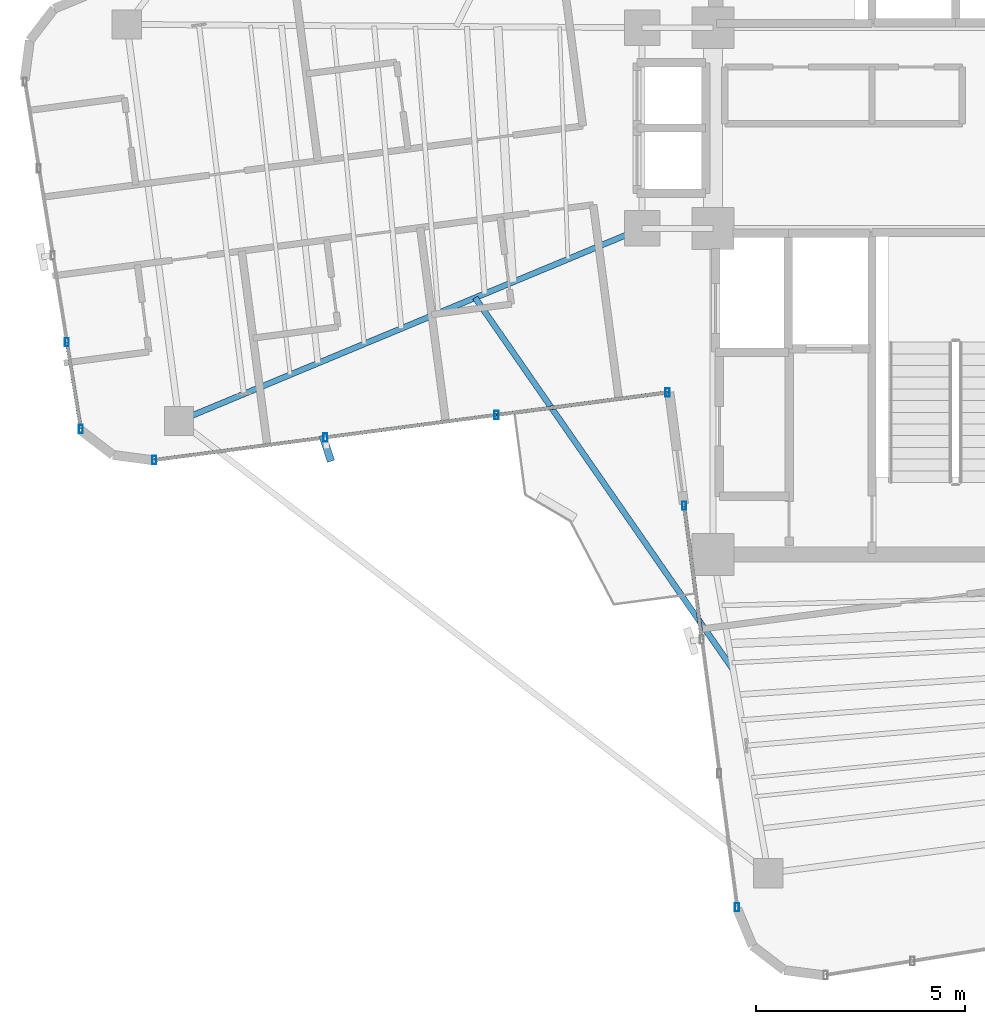
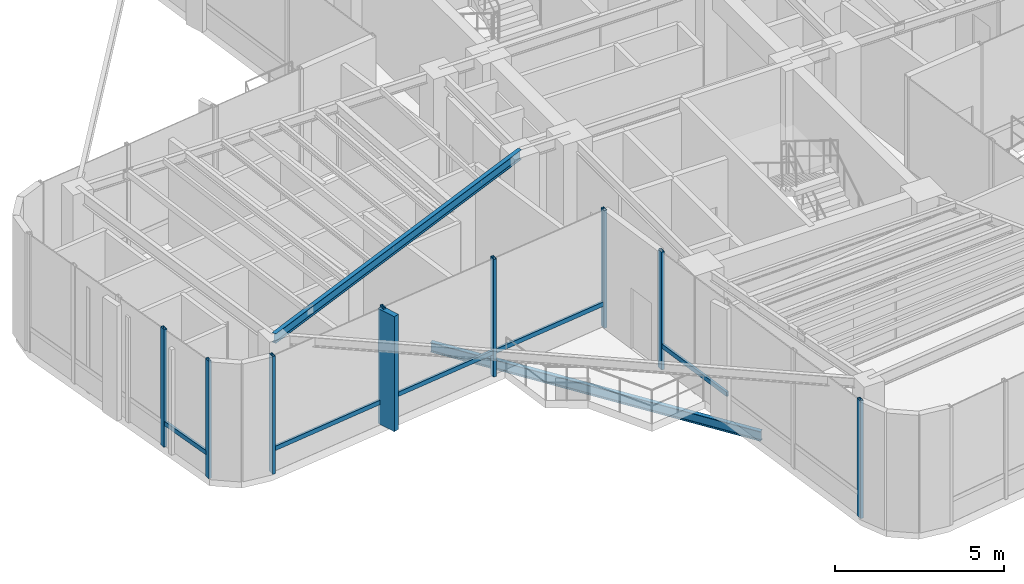
# One storey, part 2 of 20: 14 members, 2 beams, 3 elements without a shape of their own.
"""IFC4 building model written with IfcOpenShell, lengths in metres."""

from ifc_helpers import new_model, si_unit, direction, frame, origin, origin_2d, place, context, subcontext, project, spatial, rectangle, hollow_rectangle, i_section, extrude, source, transform, mapped, material, material_profile, profile_set, type_object, element, aggregate, save


model = new_model("IFC4")

# Units and contexts
model_context = context("Model", 3, precision=1e-05, world=origin(), true_north=direction((0.0, 1.0)))
body_context = subcontext(model_context, "Body", "Model", "MODEL_VIEW")
ifc_project = project(units=[si_unit("LENGTHUNIT", "METRE"), si_unit("AREAUNIT", "SQUARE_METRE"), si_unit("VOLUMEUNIT", "CUBIC_METRE"), si_unit("PLANEANGLEUNIT", "RADIAN"), si_unit("MASSUNIT", "GRAM", prefix="KILO")], contexts=[model_context])

# Site, building, storey
site_placement = place(None, origin())
site = spatial("IfcSite", under=ifc_project, at=site_placement, CompositionType="ELEMENT")
building_placement = place(site_placement, origin())
building = spatial("IfcBuilding", under=site, at=building_placement, Name="Sahyath Konkavel Grand Hotel", CompositionType="ELEMENT")
storey_placement = place(building_placement, frame((0.0, 0.0, 229.949951171875)))
storey = spatial("IfcBuildingStorey", under=building, at=storey_placement, Name="L64", CompositionType="ELEMENT", Elevation=229.949951171875)

# Beam
ifc_material_1 = material(Name="Steel E350", Category="steel")
ifc_material_profile_1 = material_profile(ifc_material_1, i_section(OverallWidth=0.139892578125, OverallDepth=0.35009765625, WebThickness=0.008056640625, FlangeThickness=0.01416015625, FilletRadius=0.013916015625, at=origin_2d()), Name="ISMB 350")
ifc_profile_set_1 = profile_set([ifc_material_profile_1], Name="Steel E350")
beam_type_1 = type_object("IfcBeamType", Name="BM-ISMB350", PredefinedType="BEAM", material=ifc_profile_set_1)
shared_shape_1 = source(origin(), body_context, "Body", "SweptSolid", [
    extrude(i_section(OverallWidth=0.139892578125, OverallDepth=0.35009765625, WebThickness=0.008056640625, FlangeThickness=0.01416015625, FilletRadius=0.013916015625, at=origin_2d()), origin(), (0.0, 0.0, 1.0), 11.994140625),
])
beam_1_placement = place(storey_placement, frame((-5.5, -2.39990234375, 4.0849609375), z_axis=(-0.923308009601, -0.384060306992, 0.0), x_axis=(0.384060306992, -0.923308009601, 0.0)))
element("IfcBeam", 1, at=beam_1_placement, inside=storey, type_object=beam_type_1, Name="L64 Cruciform Radial Girder WB", PredefinedType="BEAM", context=body_context, shape_type="MappedRepresentation", body=[
    mapped(shared_shape_1, transform((0.0, 0.0, 0.0), scale=1.0)),
])

# Curtain wall, members
ifc_material_2 = material(Name="Anodised Bronze Aluminium & Low-E Glazing", Category="aluminium")
curtain_wall_type = type_object("IfcCurtainWallType", Name="CW-SKYLOBBY", PredefinedType="NOTDEFINED", material=ifc_material_2)
curtain_wall_1_placement = place(storey_placement, origin())
curtain_wall_1 = element("IfcCurtainWall", 2, at=curtain_wall_1_placement, inside=storey, type_object=curtain_wall_type, Name="L64 Unitised Curtain Wall F20", PredefinedType="NOTDEFINED")
ifc_material_3 = material(Name="Anodised Bronze Aluminium", Category="aluminium")
ifc_material_profile_2 = material_profile(ifc_material_3, hollow_rectangle(XDim=0.10009765625, YDim=0.199951171875, WallThickness=0.008056640625, at=origin_2d()), Name="RHS 200x100x8")
ifc_profile_set_2 = profile_set([ifc_material_profile_2], Name="Anodised Bronze Aluminium")
member_type_1 = type_object("IfcMemberType", Name="CW-MUL-200", PredefinedType="MULLION", material=ifc_profile_set_2)
shared_shape_2 = source(origin(), body_context, "Body", "SweptSolid", [
    extrude(hollow_rectangle(XDim=0.10009765625, YDim=0.199951171875, WallThickness=0.008056640625, at=origin_2d()), origin(), (0.0, 0.0, 1.0), 4.260009765625),
])
member_1_placement = place(storey_placement, frame((-19.2578125, -5.122802734375, 0.0), z_axis=(0.0, 0.0, 1.0), x_axis=(1.0, 0.0, 0.0)))
member_1 = element("IfcMember", 3, at=member_1_placement, type_object=member_type_1, Name="L64 Curtain Wall Mullion F20-3", PredefinedType="MULLION", context=body_context, shape_type="MappedRepresentation", body=[
    mapped(shared_shape_2, transform((0.0, 0.0, 0.0), scale=1.0)),
])
member_2_placement = place(storey_placement, frame((-18.922607421875, -7.199462890625, 0.0), z_axis=(0.0, 0.0, 1.0), x_axis=(1.0, 0.0, 0.0)))
member_2 = element("IfcMember", 4, at=member_2_placement, type_object=member_type_1, Name="L64 Curtain Wall Mullion F20-4", PredefinedType="MULLION", context=body_context, shape_type="MappedRepresentation", body=[
    mapped(shared_shape_2, transform((0.0, 0.0, 0.0), scale=1.0)),
])

curtain_wall_2_placement = place(storey_placement, origin())
curtain_wall_2 = element("IfcCurtainWall", 5, at=curtain_wall_2_placement, inside=storey, type_object=curtain_wall_type, Name="L64 Unitised Curtain Wall F23", PredefinedType="NOTDEFINED")
member_3_placement = place(storey_placement, frame((-17.167236328125, -7.941650390625, 0.0), z_axis=(0.0, 0.0, 1.0), x_axis=(1.0, 0.0, 0.0)))
member_3 = element("IfcMember", 6, at=member_3_placement, type_object=member_type_1, Name="L64 Curtain Wall Mullion F23-0", PredefinedType="MULLION", context=body_context, shape_type="MappedRepresentation", body=[
    mapped(shared_shape_2, transform((0.0, 0.0, 0.0), scale=1.0)),
])
member_4_placement = place(storey_placement, frame((-13.07470703125, -7.40283203125, 0.0), z_axis=(0.0, 0.0, 1.0), x_axis=(1.0, 0.0, 0.0)))
member_4 = element("IfcMember", 7, at=member_4_placement, type_object=member_type_1, Name="L64 Curtain Wall Mullion F23-1", PredefinedType="MULLION", context=body_context, shape_type="MappedRepresentation", body=[
    mapped(shared_shape_2, transform((0.0, 0.0, 0.0), scale=1.0)),
])
member_5_placement = place(storey_placement, frame((-8.98193359375, -6.864013671875, 0.0), z_axis=(0.0, 0.0, 1.0), x_axis=(1.0, 0.0, 0.0)))
member_5 = element("IfcMember", 8, at=member_5_placement, type_object=member_type_1, Name="L64 Curtain Wall Mullion F23-2", PredefinedType="MULLION", context=body_context, shape_type="MappedRepresentation", body=[
    mapped(shared_shape_2, transform((0.0, 0.0, 0.0), scale=1.0)),
])
member_6_placement = place(storey_placement, frame((-4.889404296875, -6.3251953125, 0.0), z_axis=(0.0, 0.0, 1.0), x_axis=(1.0, 0.0, 0.0)))
member_6 = element("IfcMember", 9, at=member_6_placement, type_object=member_type_1, Name="L64 Curtain Wall Mullion F23-3", PredefinedType="MULLION", context=body_context, shape_type="MappedRepresentation", body=[
    mapped(shared_shape_2, transform((0.0, 0.0, 0.0), scale=1.0)),
])

curtain_wall_3_placement = place(storey_placement, origin())
curtain_wall_3 = element("IfcCurtainWall", 10, at=curtain_wall_3_placement, inside=storey, type_object=curtain_wall_type, Name="L64 Unitised Curtain Wall F24", PredefinedType="NOTDEFINED")
member_7_placement = place(storey_placement, frame((-4.491943359375, -9.03662109375, 0.0), z_axis=(0.0, 0.0, 1.0), x_axis=(1.0, 0.0, 0.0)))
member_7 = element("IfcMember", 11, at=member_7_placement, type_object=member_type_1, Name="L64 Curtain Wall Mullion F24-0", PredefinedType="MULLION", context=body_context, shape_type="MappedRepresentation", body=[
    mapped(shared_shape_2, transform((0.0, 0.0, 0.0), scale=1.0)),
])
member_8_placement = place(storey_placement, frame((-3.227783203125, -18.6376953125, 0.0), z_axis=(0.0, 0.0, 1.0), x_axis=(1.0, 0.0, 0.0)))
member_8 = element("IfcMember", 12, at=member_8_placement, type_object=member_type_1, Name="L64 Curtain Wall Mullion F24-3", PredefinedType="MULLION", context=body_context, shape_type="MappedRepresentation", body=[
    mapped(shared_shape_2, transform((0.0, 0.0, 0.0), scale=1.0)),
])

# Member
ifc_material_4 = material(Name="Warm Buff Sandstone Cladding on Concrete C50/60", Category="masonry")
ifc_material_profile_3 = material_profile(ifc_material_4, rectangle(XDim=0.179931640625, YDim=0.64990234375, at=origin_2d()), Name="FIN 180x650")
ifc_profile_set_3 = profile_set([ifc_material_profile_3], Name="Warm Buff Sandstone Cladding on Concrete C50/60")
member_type_2 = type_object("IfcMemberType", Name="FIN-SANDSTONE-650", PredefinedType="MULLION", material=ifc_profile_set_3)
shared_shape_3 = source(origin(), body_context, "Body", "SweptSolid", [
    extrude(rectangle(XDim=0.179931640625, YDim=0.64990234375, at=origin_2d()), origin(), (0.0, 0.0, 1.0), 4.159912109375),
])
member_9_placement = place(storey_placement, frame((-13.040771484375, -7.66064453125, 0.050048828125), z_axis=(0.0, 0.0, 1.0), x_axis=(0.952022626946, 0.306027642189, 0.0)))
member_9 = element("IfcMember", 13, at=member_9_placement, type_object=member_type_2, Name="L64 Sandstone Vertical Solar Fin FIN F23-1", PredefinedType="MULLION", context=body_context, shape_type="MappedRepresentation", body=[
    mapped(shared_shape_3, transform((0.0, 0.0, 0.0), scale=1.0)),
])

ifc_material_profile_4 = material_profile(ifc_material_3, hollow_rectangle(XDim=0.080078125, YDim=0.159912109375, WallThickness=0.006103515625, at=origin_2d()), Name="RHS 160x80x6")
ifc_profile_set_4 = profile_set([ifc_material_profile_4], Name="Anodised Bronze Aluminium")
member_type_3 = type_object("IfcMemberType", Name="CW-TRN-160", PredefinedType="USERDEFINED", material=ifc_profile_set_4)
shared_shape_4 = source(origin(), body_context, "Body", "SweptSolid", [
    extrude(hollow_rectangle(XDim=0.080078125, YDim=0.159912109375, WallThickness=0.006103515625, at=origin_2d()), origin(), (0.0, 0.0, 1.0), 3.22802734375),
])
member_10_placement = place(storey_placement, frame((-4.491943359375, -9.03662109375, 0.85009765625), z_axis=(0.130538637773, -0.991443222806, 0.0), x_axis=(0.991443222806, 0.130538637773, 0.0)))
member_10 = element("IfcMember", 14, at=member_10_placement, type_object=member_type_3, Name="L64 Curtain Wall Transom F24-0-spandrel", ObjectType="TRANSOM", PredefinedType="USERDEFINED", context=body_context, shape_type="MappedRepresentation", body=[
    mapped(shared_shape_4, transform((0.0, 0.0, 0.0), scale=1.0)),
])

aggregate(curtain_wall_3, [member_7, member_8, member_10])

shared_shape_5 = source(origin(), body_context, "Body", "SweptSolid", [
    extrude(hollow_rectangle(XDim=0.080078125, YDim=0.159912109375, WallThickness=0.006103515625, at=origin_2d()), origin(), (0.0, 0.0, 1.0), 2.103515625),
])
member_11_placement = place(storey_placement, frame((-19.2578125, -5.122802734375, 0.85009765625), z_axis=(0.159352854703, -0.987221691262, 0.0), x_axis=(0.987221691262, 0.159352854703, 0.0)))
member_11 = element("IfcMember", 15, at=member_11_placement, type_object=member_type_3, Name="L64 Curtain Wall Transom F20-3-spandrel", ObjectType="TRANSOM", PredefinedType="USERDEFINED", context=body_context, shape_type="MappedRepresentation", body=[
    mapped(shared_shape_5, transform((0.0, 0.0, 0.0), scale=1.0)),
])

aggregate(curtain_wall_1, [member_1, member_2, member_11])

shared_shape_6 = source(origin(), body_context, "Body", "SweptSolid", [
    extrude(hollow_rectangle(XDim=0.080078125, YDim=0.159912109375, WallThickness=0.006103515625, at=origin_2d()), origin(), (0.0, 0.0, 1.0), 4.1279296875),
])
member_12_placement = place(storey_placement, frame((-17.167236328125, -7.941650390625, 0.85009765625), z_axis=(0.991444025678, 0.1305325398, 0.0), x_axis=(-0.1305325398, 0.991444025678, 0.0)))
member_12 = element("IfcMember", 16, at=member_12_placement, type_object=member_type_3, Name="L64 Curtain Wall Transom F23-0-spandrel", ObjectType="TRANSOM", PredefinedType="USERDEFINED", context=body_context, shape_type="MappedRepresentation", body=[
    mapped(shared_shape_6, transform((0.0, 0.0, 0.0), scale=1.0)),
])

member_13_placement = place(storey_placement, frame((-8.98193359375, -6.864013671875, 0.85009765625), z_axis=(0.991444025678, 0.1305325398, 0.0), x_axis=(-0.1305325398, 0.991444025678, 0.0)))
member_13 = element("IfcMember", 17, at=member_13_placement, type_object=member_type_3, Name="L64 Curtain Wall Transom F23-2-spandrel", ObjectType="TRANSOM", PredefinedType="USERDEFINED", context=body_context, shape_type="MappedRepresentation", body=[
    mapped(shared_shape_6, transform((0.0, 0.0, 0.0), scale=1.0)),
])

shared_shape_7 = source(origin(), body_context, "Body", "SweptSolid", [
    extrude(hollow_rectangle(XDim=0.080078125, YDim=0.159912109375, WallThickness=0.006103515625, at=origin_2d()), origin(), (0.0, 0.0, 1.0), 4.128173828125),
])
member_14_placement = place(storey_placement, frame((-13.07470703125, -7.40283203125, 0.85009765625), z_axis=(0.991445033343, 0.130524885981, 0.0), x_axis=(-0.130524885981, 0.991445033343, 0.0)))
member_14 = element("IfcMember", 18, at=member_14_placement, type_object=member_type_3, Name="L64 Curtain Wall Transom F23-1-spandrel", ObjectType="TRANSOM", PredefinedType="USERDEFINED", context=body_context, shape_type="MappedRepresentation", body=[
    mapped(shared_shape_7, transform((0.0, 0.0, 0.0), scale=1.0)),
])

aggregate(curtain_wall_2, [member_3, member_4, member_9, member_5, member_6, member_12, member_14, member_13])

# Beam
ifc_material_profile_5 = material_profile(ifc_material_1, i_section(OverallWidth=0.139892578125, OverallDepth=0.35009765625, WebThickness=0.008056640625, FlangeThickness=0.01416015625, FilletRadius=0.013916015625, at=origin_2d()), Name="ISMB 350")
ifc_profile_set_5 = profile_set([ifc_material_profile_5], Name="Steel E350")
beam_type_2 = type_object("IfcBeamType", Name="BM-BALC-CANT", PredefinedType="BEAM", material=ifc_profile_set_5)
shared_shape_8 = source(origin(), body_context, "Body", "SweptSolid", [
    extrude(i_section(OverallWidth=0.139892578125, OverallDepth=0.35009765625, WebThickness=0.008056640625, FlangeThickness=0.01416015625, FilletRadius=0.013916015625, at=origin_2d()), origin(), (0.0, 0.0, 1.0), 10.81787109375),
])
beam_2_placement = place(storey_placement, frame((-9.4912109375, -4.060791015625, -0.474853515625), z_axis=(0.569990141285, -0.82165153127, 0.0), x_axis=(0.82165153127, 0.569990141285, 0.0)))
element("IfcBeam", 19, at=beam_2_placement, inside=storey, type_object=beam_type_2, Name="L64 Balcony Cantilever Support Beam SW", PredefinedType="BEAM", context=body_context, shape_type="MappedRepresentation", body=[
    mapped(shared_shape_8, transform((0.0, 0.0, 0.0), scale=1.0)),
])

save(model, "model.ifc")
